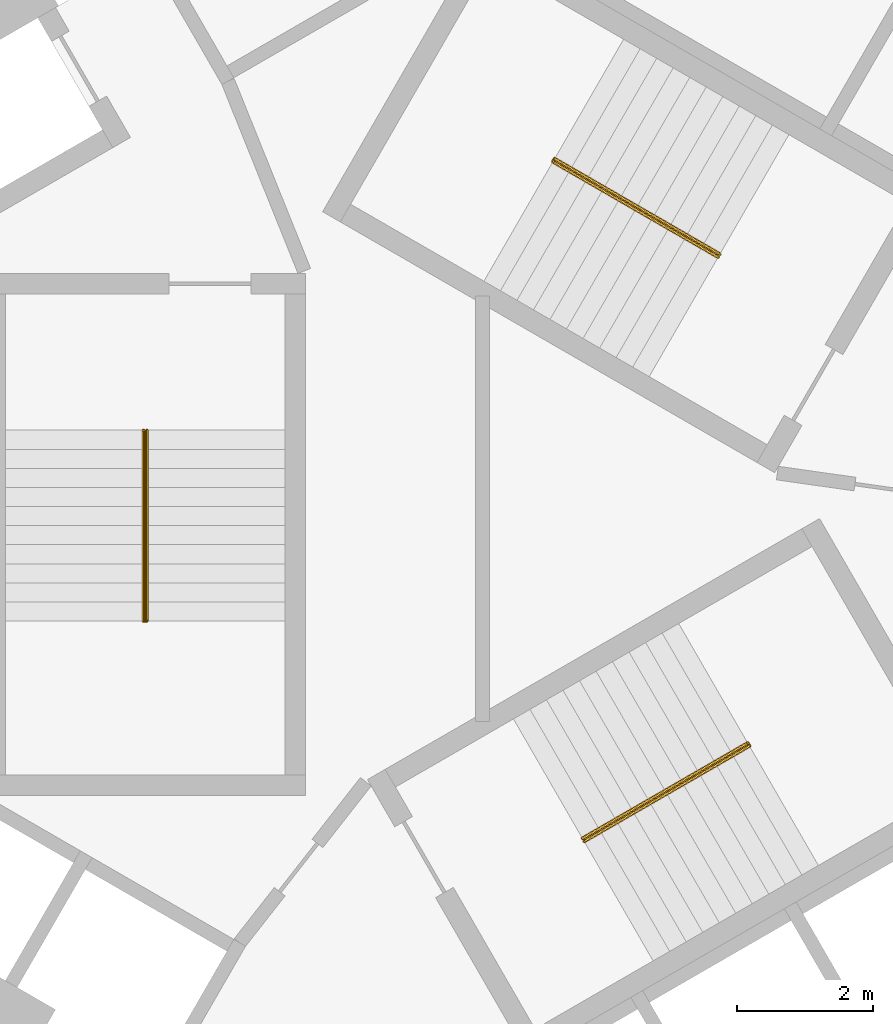
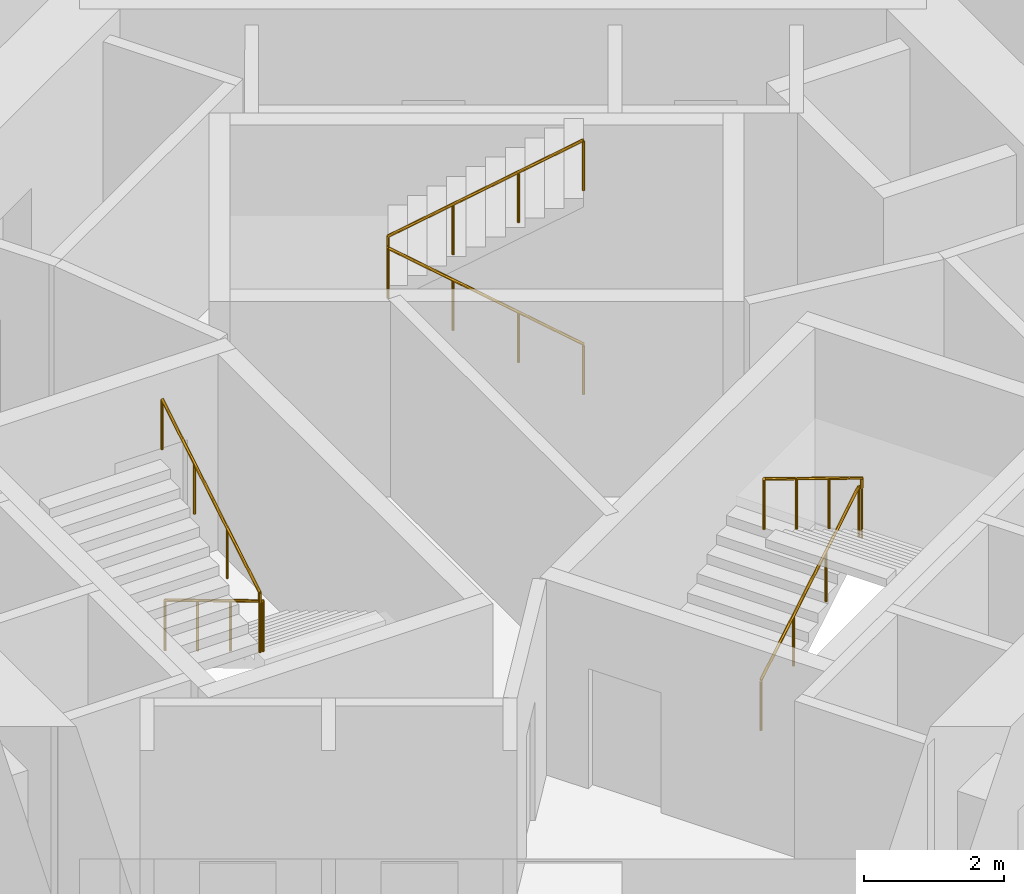
# One storey, part 10 of 10: 3 railings.
"""IFC4 building model written with IfcOpenShell, lengths in metres."""

from ifc_helpers import new_model, si_unit, direction, frame, origin, origin_2d, place, context, subcontext, project, spatial, circle, extrude, material, type_object, element, save


model = new_model("IFC4")

# Units and contexts
model_context = context("Model", 3, precision=1e-05, world=origin(), true_north=direction((0.0, 1.0)))
body_context = subcontext(model_context, "Body", "Model", "MODEL_VIEW")
ifc_project = project(units=[si_unit("LENGTHUNIT", "METRE"), si_unit("AREAUNIT", "SQUARE_METRE"), si_unit("VOLUMEUNIT", "CUBIC_METRE"), si_unit("PLANEANGLEUNIT", "RADIAN"), si_unit("MASSUNIT", "GRAM", prefix="KILO")], contexts=[model_context])

# Site, building, storey
site_placement = place(None, origin())
site = spatial("IfcSite", under=ifc_project, at=site_placement, CompositionType="ELEMENT")
building_placement = place(site_placement, origin())
building = spatial("IfcBuilding", under=site, at=building_placement, Name="Vanh Sen Convention Tower", CompositionType="ELEMENT")
storey_placement = place(building_placement, frame((0.0, 0.0, 165.10009765625)))
storey = spatial("IfcBuildingStorey", under=building, at=storey_placement, Name="L40", CompositionType="ELEMENT", Elevation=165.10009765625)

# Railings
ifc_material = material(Name="Stainless steel handrail", Category="steel")
railing_type = type_object("IfcRailingType", Name="Stair handrail 900", PredefinedType="HANDRAIL", material=ifc_material)
railing_1_placement = place(storey_placement, frame((3.45849609375, 3.690185546875, 0.168212890625)))
element("IfcRailing", 1, at=railing_1_placement, inside=storey, type_object=railing_type, Name="Stair handrail ST1 L40", PredefinedType="HANDRAIL", context=body_context, shape_type="SweptSolid", body=[
    extrude(circle(Radius=0.02392578125, at=origin_2d()), frame((0.0, 0.0, 0.8759765625), z_axis=(-0.74241905619, 0.428617687091, 0.514879426), x_axis=(-0.49998411664, -0.866034573852, 0.0)), (0.0, 0.0, 1.0), 3.26611328125),
    extrude(circle(Radius=0.02392578125, at=origin_2d()), frame((-2.4248046875, 1.39990234375, 2.5576171875), z_axis=(0.497188445666, 0.867642581652, 0.0), x_axis=(-0.867642581652, 0.497188445666, 0.0)), (0.0, 0.0, 1.0), 0.050048828125),
    extrude(circle(Radius=0.02392578125, at=origin_2d()), frame((-2.39990234375, 1.443359375, 2.5576171875), z_axis=(0.0, 0.0, 1.0), x_axis=(1.0, 0.0, 0.0)), (0.0, 0.0, 1.0), 0.168212890625),
    extrude(circle(Radius=0.02392578125, at=origin_2d()), frame((-2.39990234375, 1.443359375, 2.7255859375), z_axis=(0.742366697286, -0.42866220388, 0.514917859203), x_axis=(0.500049511043, 0.865996816683, 0.0)), (0.0, 0.0, 1.0), 3.266357421875),
    extrude(circle(Radius=0.02099609375, at=origin_2d()), origin(), (0.0, 0.0, 1.0), 0.851806640625),
    extrude(circle(Radius=0.02099609375, at=origin_2d()), frame((-0.808349609375, 0.466552734375, 0.560546875)), (0.0, 0.0, 1.0), 0.851806640625),
    extrude(circle(Radius=0.02099609375, at=origin_2d()), frame((-1.616455078125, 0.933349609375, 1.12109375)), (0.0, 0.0, 1.0), 0.851806640625),
    extrude(circle(Radius=0.02099609375, at=origin_2d()), frame((-2.4248046875, 1.39990234375, 1.681640625)), (0.0, 0.0, 1.0), 0.851806640625),
    extrude(circle(Radius=0.02099609375, at=origin_2d()), frame((-2.39990234375, 1.443359375, 1.681640625)), (0.0, 0.0, 1.0), 0.851806640625),
    extrude(circle(Radius=0.02099609375, at=origin_2d()), frame((-2.39990234375, 1.443359375, 1.849853515625)), (0.0, 0.0, 1.0), 0.851806640625),
    extrude(circle(Radius=0.02099609375, at=origin_2d()), frame((-1.591552734375, 0.9765625, 2.410400390625)), (0.0, 0.0, 1.0), 0.851806640625),
    extrude(circle(Radius=0.02099609375, at=origin_2d()), frame((-0.783447265625, 0.510009765625, 2.97119140625)), (0.0, 0.0, 1.0), 0.851806640625),
    extrude(circle(Radius=0.02099609375, at=origin_2d()), frame((0.02490234375, 0.043212890625, 3.53173828125)), (0.0, 0.0, 1.0), 0.851806640625),
])
railing_2_placement = place(storey_placement, frame((-4.925048828125, 1.14990234375, 0.168212890625)))
element("IfcRailing", 2, at=railing_2_placement, inside=storey, type_object=railing_type, Name="Stair handrail ST2 L40", PredefinedType="HANDRAIL", context=body_context, shape_type="SweptSolid", body=[
    extrude(circle(Radius=0.02392578125, at=origin_2d()), frame((0.0, 0.0, 0.8759765625), z_axis=(0.0, -0.857255387014, 0.514891446264), x_axis=(1.0, 0.0, 0.0)), (0.0, 0.0, 1.0), 3.26611328125),
    extrude(circle(Radius=0.02392578125, at=origin_2d()), frame((0.0, -2.7998046875, 2.5576171875), z_axis=(-1.0, 0.0, 0.0), x_axis=(0.0, -1.0, 0.0)), (0.0, 0.0, 1.0), 0.050048828125),
    extrude(circle(Radius=0.02392578125, at=origin_2d()), frame((-0.050048828125, -2.7998046875, 2.5576171875), z_axis=(0.0, 0.0, 1.0), x_axis=(1.0, 0.0, 0.0)), (0.0, 0.0, 1.0), 0.168212890625),
    extrude(circle(Radius=0.02392578125, at=origin_2d()), frame((-0.050048828125, -2.7998046875, 2.7255859375), z_axis=(0.0, 0.857222391501, 0.514946377315), x_axis=(-1.0, 0.0, 0.0)), (0.0, 0.0, 1.0), 3.26611328125),
    extrude(circle(Radius=0.02099609375, at=origin_2d()), origin(), (0.0, 0.0, 1.0), 0.851806640625),
    extrude(circle(Radius=0.02099609375, at=origin_2d()), frame((0.0, -0.933349609375, 0.560546875)), (0.0, 0.0, 1.0), 0.851806640625),
    extrude(circle(Radius=0.02099609375, at=origin_2d()), frame((0.0, -1.866455078125, 1.12109375)), (0.0, 0.0, 1.0), 0.851806640625),
    extrude(circle(Radius=0.02099609375, at=origin_2d()), frame((0.0, -2.7998046875, 1.681640625)), (0.0, 0.0, 1.0), 0.851806640625),
    extrude(circle(Radius=0.02099609375, at=origin_2d()), frame((-0.050048828125, -2.7998046875, 1.681640625)), (0.0, 0.0, 1.0), 0.851806640625),
    extrude(circle(Radius=0.02099609375, at=origin_2d()), frame((-0.050048828125, -2.7998046875, 1.849853515625)), (0.0, 0.0, 1.0), 0.851806640625),
    extrude(circle(Radius=0.02099609375, at=origin_2d()), frame((-0.050048828125, -1.866455078125, 2.410400390625)), (0.0, 0.0, 1.0), 0.851806640625),
    extrude(circle(Radius=0.02099609375, at=origin_2d()), frame((-0.050048828125, -0.933349609375, 2.97119140625)), (0.0, 0.0, 1.0), 0.851806640625),
    extrude(circle(Radius=0.02099609375, at=origin_2d()), frame((-0.050048828125, 0.0, 3.53173828125)), (0.0, 0.0, 1.0), 0.851806640625),
])
railing_3_placement = place(storey_placement, frame((1.466552734375, -4.840087890625, 0.168212890625)))
element("IfcRailing", 3, at=railing_3_placement, inside=storey, type_object=railing_type, Name="Stair handrail ST3 L40", PredefinedType="HANDRAIL", context=body_context, shape_type="SweptSolid", body=[
    extrude(circle(Radius=0.02392578125, at=origin_2d()), frame((0.0, 0.0, 0.8759765625), z_axis=(0.74241905619, 0.428617687091, 0.514879426), x_axis=(-0.49998411664, 0.866034573852, 0.0)), (0.0, 0.0, 1.0), 3.26611328125),
    extrude(circle(Radius=0.02392578125, at=origin_2d()), frame((2.4248046875, 1.39990234375, 2.5576171875), z_axis=(0.502959906984, -0.86430974307, 0.0), x_axis=(0.86430974307, 0.502959906984, 0.0)), (0.0, 0.0, 1.0), 0.050048828125),
    extrude(circle(Radius=0.02392578125, at=origin_2d()), frame((2.449951171875, 1.356689453125, 2.5576171875), z_axis=(0.0, 0.0, 1.0), x_axis=(1.0, 0.0, 0.0)), (0.0, 0.0, 1.0), 0.168212890625),
    extrude(circle(Radius=0.02392578125, at=origin_2d()), frame((2.449951171875, 1.356689453125, 2.7255859375), z_axis=(-0.742366697286, -0.42866220388, 0.514917859203), x_axis=(0.500049511043, -0.865996816683, 0.0)), (0.0, 0.0, 1.0), 3.266357421875),
    extrude(circle(Radius=0.02099609375, at=origin_2d()), origin(), (0.0, 0.0, 1.0), 0.851806640625),
    extrude(circle(Radius=0.02099609375, at=origin_2d()), frame((0.808349609375, 0.466552734375, 0.560546875)), (0.0, 0.0, 1.0), 0.851806640625),
    extrude(circle(Radius=0.02099609375, at=origin_2d()), frame((1.616455078125, 0.933349609375, 1.12109375)), (0.0, 0.0, 1.0), 0.851806640625),
    extrude(circle(Radius=0.02099609375, at=origin_2d()), frame((2.4248046875, 1.39990234375, 1.681640625)), (0.0, 0.0, 1.0), 0.851806640625),
    extrude(circle(Radius=0.02099609375, at=origin_2d()), frame((2.449951171875, 1.356689453125, 1.681640625)), (0.0, 0.0, 1.0), 0.851806640625),
    extrude(circle(Radius=0.02099609375, at=origin_2d()), frame((2.449951171875, 1.356689453125, 1.849853515625)), (0.0, 0.0, 1.0), 0.851806640625),
    extrude(circle(Radius=0.02099609375, at=origin_2d()), frame((1.6416015625, 0.889892578125, 2.410400390625)), (0.0, 0.0, 1.0), 0.851806640625),
    extrude(circle(Radius=0.02099609375, at=origin_2d()), frame((0.83349609375, 0.42333984375, 2.97119140625)), (0.0, 0.0, 1.0), 0.851806640625),
    extrude(circle(Radius=0.02099609375, at=origin_2d()), frame((0.025146484375, -0.04345703125, 3.53173828125)), (0.0, 0.0, 1.0), 0.851806640625),
])

save(model, "model.ifc")
